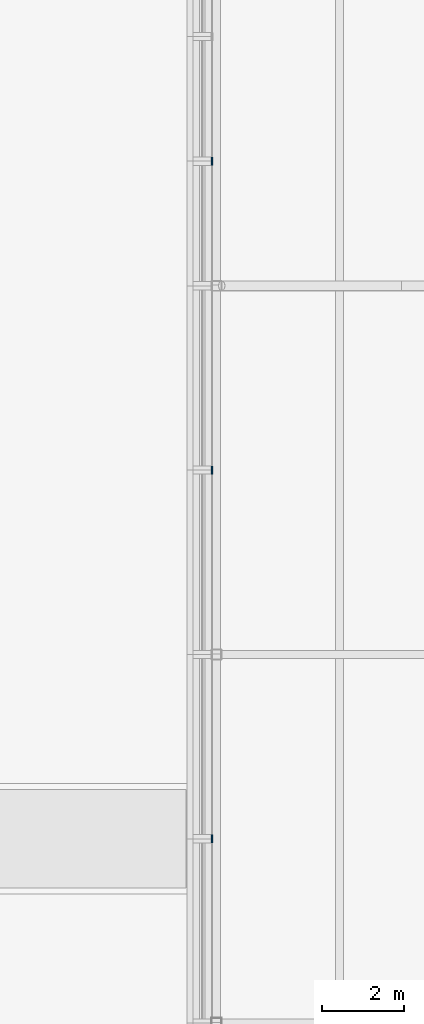
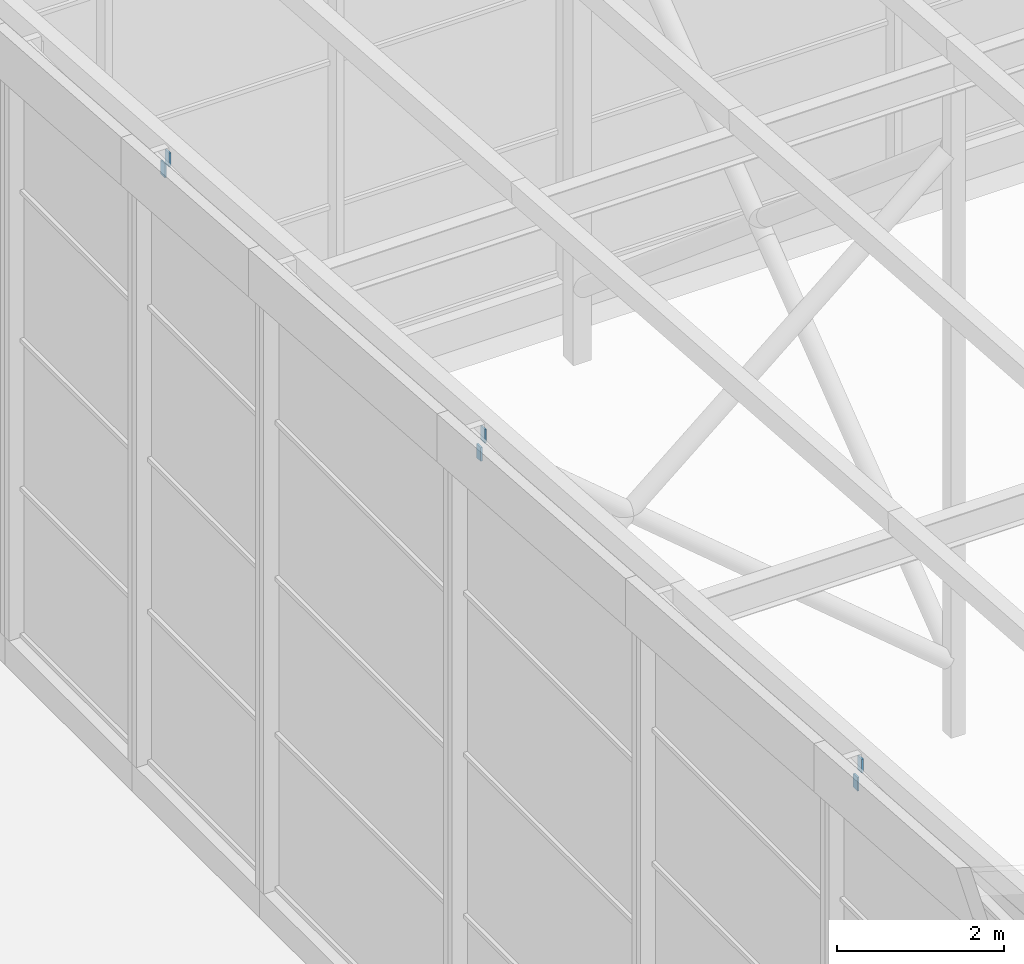
# One storey, part 73 of 84: 6 discrete accessories.
"""IFC4 building model written with IfcOpenShell, lengths in metres."""

from ifc_helpers import new_model, si_unit, direction, frame, origin, origin_2d, place, context, subcontext, project, spatial, rectangle, extrude, material, type_object, element, save


model = new_model("IFC4")

# Units and contexts
model_context = context("Model", 3, precision=1e-05, world=origin(), true_north=direction((0.0, 1.0)))
body_context = subcontext(model_context, "Body", "Model", "MODEL_VIEW")
ifc_project = project(units=[si_unit("LENGTHUNIT", "METRE"), si_unit("AREAUNIT", "SQUARE_METRE"), si_unit("VOLUMEUNIT", "CUBIC_METRE"), si_unit("PLANEANGLEUNIT", "RADIAN"), si_unit("MASSUNIT", "GRAM", prefix="KILO")], contexts=[model_context])

# Site, building, storey
site_placement = place(None, origin())
site = spatial("IfcSite", under=ifc_project, at=site_placement, CompositionType="ELEMENT")
building_placement = place(site_placement, origin())
building = spatial("IfcBuilding", under=site, at=building_placement, Name="Silverbay Arena", CompositionType="ELEMENT")
storey_placement = place(building_placement, frame((0.0, 0.0, 47.10009765625)))
storey = spatial("IfcBuildingStorey", under=building, at=storey_placement, Name="ROOF", CompositionType="ELEMENT", Elevation=47.10009765625)

# Discrete accessories
ifc_material = material(Name="Steel S355", Category="steel")
discrete_accessory_type = type_object("IfcDiscreteAccessoryType", Name="Steel bracket plate", PredefinedType="BRACKET", material=ifc_material)
for number, where, z_axis, x_axis, name in (
    (1, (80.887451171875, 112.449951171875, 10.2451171875), (0.0, 0.0, 1.0), (1.0, 0.0, 0.0), "Curtain wall packing plate"),
    (2, (80.887451171875, 112.550048828125, 9.919921875), (0.0, 0.0, 1.0), (1.0, 0.0, 0.0), "Curtain wall packing plate"),
    (3, (80.887451171875, 121.449951171875, 9.5947265625), (0.0, 0.0, 1.0), (1.0, 0.0, 0.0), "Curtain wall packing plate"),
    (4, (80.887451171875, 121.550048828125, 9.27001953125), (0.0, 0.0, 1.0), (1.0, 0.0, 0.0), "Curtain wall packing plate"),
    (5, (80.887451171875, 128.99169921875, 9.05029296875), (0.0, 0.0, 1.0), (1.0, 0.0, 0.0), "Curtain wall packing plate"),
    (6, (80.887451171875, 129.091552734375, 8.83056640625), (0.0, 0.0, 1.0), (1.0, 0.0, 0.0), "Curtain wall packing plate"),
):
    element("IfcDiscreteAccessory", number, at=place(storey_placement, frame(where, z_axis=z_axis, x_axis=x_axis)), inside=storey, type_object=discrete_accessory_type, Name=name, PredefinedType="BRACKET", context=body_context, shape_type="SweptSolid", body=[
        extrude(rectangle(XDim=0.02490234375, YDim=0.10009765625, at=origin_2d()), origin(), (0.0, 0.0, 1.0), 0.199951171875),
    ])

save(model, "model.ifc")
